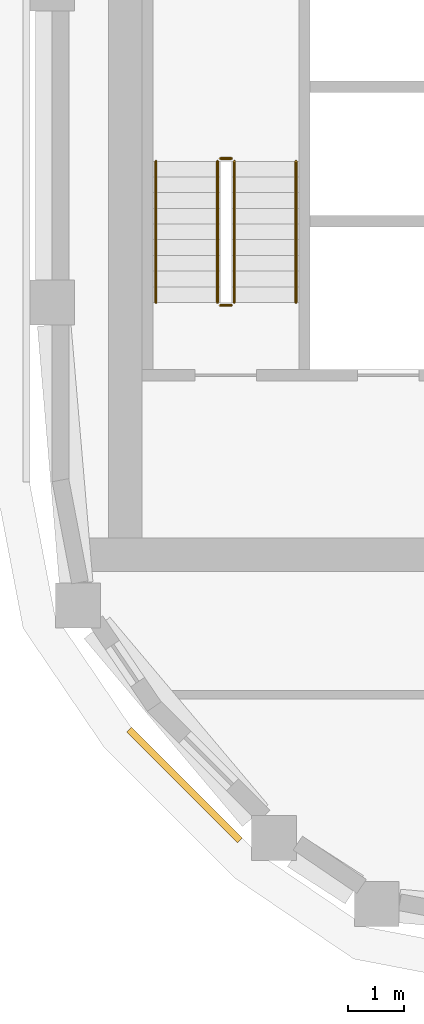
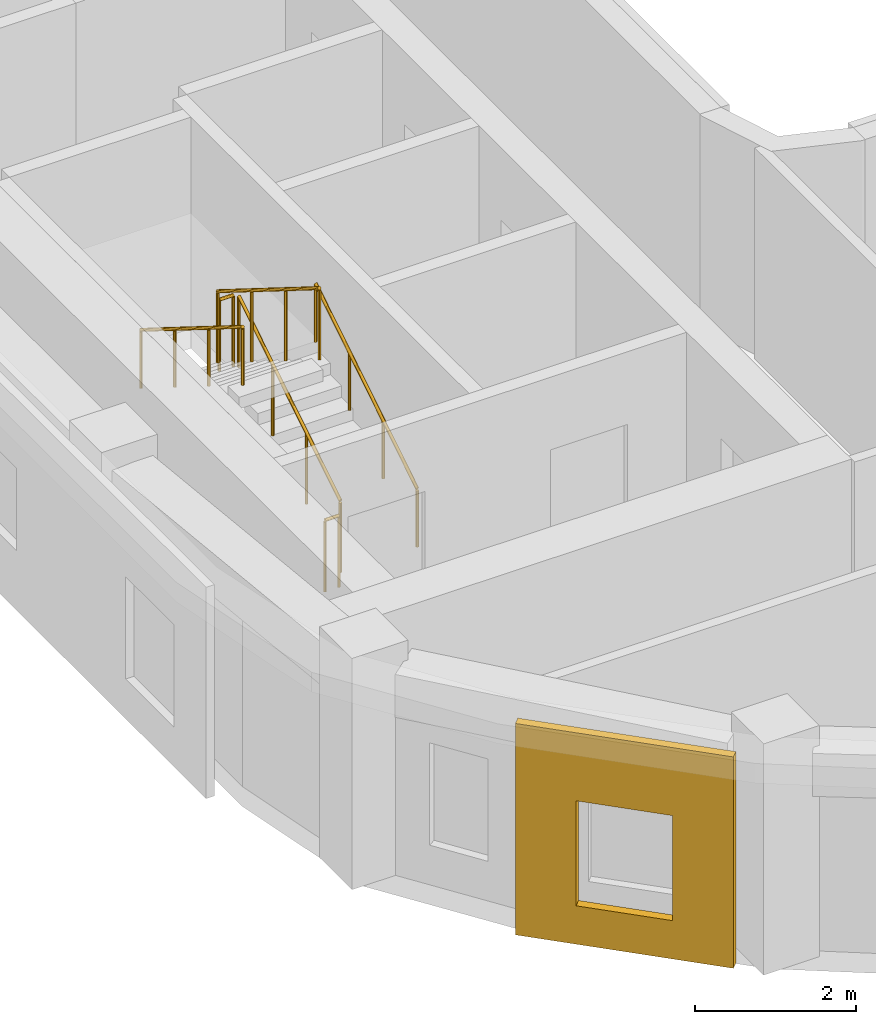
# One storey, part 10 of 16: 6 railings, 1 covering.
"""IFC4 building model written with IfcOpenShell, lengths in metres."""

from ifc_helpers import new_model, si_unit, direction, frame, origin, origin_2d, place, context, subcontext, project, spatial, polyline, circle, outline, extrude, material, layer, layer_set, type_object, element, save


model = new_model("IFC4")

# Units and contexts
model_context = context("Model", 3, precision=1e-05, world=origin(), true_north=direction((0.0, 1.0)))
body_context = subcontext(model_context, "Body", "Model", "MODEL_VIEW")
ifc_project = project(units=[si_unit("LENGTHUNIT", "METRE"), si_unit("AREAUNIT", "SQUARE_METRE"), si_unit("VOLUMEUNIT", "CUBIC_METRE"), si_unit("PLANEANGLEUNIT", "RADIAN"), si_unit("MASSUNIT", "GRAM", prefix="KILO")], contexts=[model_context])

# Site, building, storey
site_placement = place(None, origin())
site = spatial("IfcSite", under=ifc_project, at=site_placement, CompositionType="ELEMENT")
building_placement = place(site_placement, origin())
building = spatial("IfcBuilding", under=site, at=building_placement, Name="Kiln Ring Residences", CompositionType="ELEMENT")
storey_placement = place(building_placement, frame((0.0, 0.0, 259.199951171875)))
storey = spatial("IfcBuildingStorey", under=building, at=storey_placement, Name="L67", CompositionType="ELEMENT", Elevation=259.199951171875)

# Railings
ifc_material_1 = material(Name="Stainless steel", Category="steel")
railing_type_1 = type_object("IfcRailingType", Name="CORE-STAIR-GUARD", PredefinedType="GUARDRAIL", material=ifc_material_1)
railing_1_placement = place(storey_placement, frame((-21.949951171875, -8.39990234375, 0.175048828125)))
element("IfcRailing", 1, at=railing_1_placement, inside=storey, type_object=railing_type_1, Name="L67 W-STS stair guard 1", PredefinedType="GUARDRAIL", context=body_context, shape_type="SweptSolid", body=[
    extrude(circle(Radius=0.02392578125, at=origin_2d()), frame((0.0, 0.0, 1.076171875), z_axis=(0.0, 0.848007534815, 0.529984170421), x_axis=(-1.0, 0.0, 0.0)), (0.0, 0.0, 1.0), 2.9716796875),
    extrude(circle(Radius=0.02099609375, at=origin_2d()), origin(), (0.0, 0.0, 1.0), 1.052001953125),
    extrude(circle(Radius=0.02099609375, at=origin_2d()), frame((0.0, 0.840087890625, 0.52490234375)), (0.0, 0.0, 1.0), 1.052001953125),
    extrude(circle(Radius=0.02099609375, at=origin_2d()), frame((0.0, 1.679931640625, 1.050048828125)), (0.0, 0.0, 1.0), 1.052001953125),
    extrude(circle(Radius=0.02099609375, at=origin_2d()), frame((0.0, 2.52001953125, 1.574951171875)), (0.0, 0.0, 1.0), 1.052001953125),
])
railing_2_placement = place(storey_placement, frame((-22.0, -5.830078125, 1.75)))
element("IfcRailing", 2, at=railing_2_placement, inside=storey, type_object=railing_type_1, Name="L67 W-STS stair guard 2", PredefinedType="GUARDRAIL", context=body_context, shape_type="SweptSolid", body=[
    extrude(circle(Radius=0.02392578125, at=origin_2d()), frame((0.0, 0.0, 1.076171875), z_axis=(-1.0, 0.0, 0.0), x_axis=(0.0, -1.0, 0.0)), (0.0, 0.0, 1.0), 0.199951171875),
    extrude(circle(Radius=0.02099609375, at=origin_2d()), origin(), (0.0, 0.0, 1.0), 1.052001953125),
    extrude(circle(Radius=0.02099609375, at=origin_2d()), frame((-0.199951171875, 0.0, 0.0)), (0.0, 0.0, 1.0), 1.052001953125),
])
railing_3_placement = place(storey_placement, frame((-22.25, -5.8798828125, 1.925048828125)))
element("IfcRailing", 3, at=railing_3_placement, inside=storey, type_object=railing_type_1, Name="L67 W-STS stair guard 3", PredefinedType="GUARDRAIL", context=body_context, shape_type="SweptSolid", body=[
    extrude(circle(Radius=0.02392578125, at=origin_2d()), frame((0.0, 0.0, 1.076171875), z_axis=(0.0, -0.848007534815, 0.529984170421), x_axis=(1.0, 0.0, 0.0)), (0.0, 0.0, 1.0), 2.9716796875),
    extrude(circle(Radius=0.02099609375, at=origin_2d()), origin(), (0.0, 0.0, 1.0), 1.052001953125),
    extrude(circle(Radius=0.02099609375, at=origin_2d()), frame((0.0, -0.840087890625, 0.52490234375)), (0.0, 0.0, 1.0), 1.052001953125),
    extrude(circle(Radius=0.02099609375, at=origin_2d()), frame((0.0, -1.679931640625, 1.050048828125)), (0.0, 0.0, 1.0), 1.052001953125),
    extrude(circle(Radius=0.02099609375, at=origin_2d()), frame((0.0, -2.52001953125, 1.574951171875)), (0.0, 0.0, 1.0), 1.052001953125),
])
railing_4_placement = place(storey_placement, frame((-22.0, -8.449951171875, 0.0)))
element("IfcRailing", 4, at=railing_4_placement, inside=storey, type_object=railing_type_1, Name="L67 W-STS stair guard 4", PredefinedType="GUARDRAIL", context=body_context, shape_type="SweptSolid", body=[
    extrude(circle(Radius=0.02392578125, at=origin_2d()), frame((0.0, 0.0, 1.076171875), z_axis=(-1.0, 0.0, 0.0), x_axis=(0.0, -1.0, 0.0)), (0.0, 0.0, 1.0), 0.199951171875),
    extrude(circle(Radius=0.02099609375, at=origin_2d()), origin(), (0.0, 0.0, 1.0), 1.052001953125),
    extrude(circle(Radius=0.02099609375, at=origin_2d()), frame((-0.199951171875, 0.0, 0.0)), (0.0, 0.0, 1.0), 1.052001953125),
])
ifc_material_2 = material(Name="Stainless steel", Category="steel")
railing_type_2 = type_object("IfcRailingType", Name="CORE-STAIR-HANDRAIL", PredefinedType="HANDRAIL", material=ifc_material_2)
railing_5_placement = place(storey_placement, frame((-20.85009765625, -8.39990234375, 0.175048828125)))
element("IfcRailing", 5, at=railing_5_placement, inside=storey, type_object=railing_type_2, Name="L67 W-STS stair handrail 1", PredefinedType="HANDRAIL", context=body_context, shape_type="SweptSolid", body=[
    extrude(circle(Radius=0.02392578125, at=origin_2d()), frame((0.0, 0.0, 0.8759765625), z_axis=(0.0, 0.848007534815, 0.529984170421), x_axis=(-1.0, 0.0, 0.0)), (0.0, 0.0, 1.0), 2.9716796875),
    extrude(circle(Radius=0.02099609375, at=origin_2d()), origin(), (0.0, 0.0, 1.0), 0.851806640625),
    extrude(circle(Radius=0.02099609375, at=origin_2d()), frame((0.0, 0.840087890625, 0.52490234375)), (0.0, 0.0, 1.0), 0.851806640625),
    extrude(circle(Radius=0.02099609375, at=origin_2d()), frame((0.0, 1.679931640625, 1.050048828125)), (0.0, 0.0, 1.0), 0.851806640625),
    extrude(circle(Radius=0.02099609375, at=origin_2d()), frame((0.0, 2.52001953125, 1.574951171875)), (0.0, 0.0, 1.0), 0.851806640625),
])
railing_6_placement = place(storey_placement, frame((-23.35009765625, -5.8798828125, 1.925048828125)))
element("IfcRailing", 6, at=railing_6_placement, inside=storey, type_object=railing_type_2, Name="L67 W-STS stair handrail 2", PredefinedType="HANDRAIL", context=body_context, shape_type="SweptSolid", body=[
    extrude(circle(Radius=0.02392578125, at=origin_2d()), frame((0.0, 0.0, 0.8759765625), z_axis=(0.0, -0.848007534815, 0.529984170421), x_axis=(1.0, 0.0, 0.0)), (0.0, 0.0, 1.0), 2.9716796875),
    extrude(circle(Radius=0.02099609375, at=origin_2d()), origin(), (0.0, 0.0, 1.0), 0.851806640625),
    extrude(circle(Radius=0.02099609375, at=origin_2d()), frame((0.0, -0.840087890625, 0.52490234375)), (0.0, 0.0, 1.0), 0.851806640625),
    extrude(circle(Radius=0.02099609375, at=origin_2d()), frame((0.0, -1.679931640625, 1.050048828125)), (0.0, 0.0, 1.0), 0.851806640625),
    extrude(circle(Radius=0.02099609375, at=origin_2d()), frame((0.0, -2.52001953125, 1.574951171875)), (0.0, 0.0, 1.0), 0.851806640625),
])

# Covering
ifc_material_3 = material(Name="Brick masonry, dark clay brick", Category="masonry")
ifc_layer = layer(ifc_material_3, 0.1201171875)
ifc_layer_set = layer_set([ifc_layer], Name="RAINSCREEN PANEL 120")
covering_type = type_object("IfcCoveringType", Name="RAINSCREEN PANEL 120", PredefinedType="CLADDING", material=ifc_layer_set)
covering_placement = place(storey_placement, frame((-23.828125, -16.022216796875, 0.0), z_axis=(0.0, 0.0, 1.0), x_axis=(0.707063182409, -0.707150377276, 0.0)))
element("IfcCovering", 7, at=covering_placement, inside=storey, type_object=covering_type, Name="RAINSCREEN L67", PredefinedType="CLADDING", context=body_context, shape_type="SweptSolid", body=[
    extrude(outline(polyline([(0.0, 0.0), (2.800048828125, 0.0), (2.800048828125, 3.199951171875), (0.0, 3.199951171875), (0.0, 0.0)]), holes=[polyline([(0.780029296875, 2.170166015625), (0.780029296875, 0.580078125), (2.02001953125, 0.580078125), (2.02001953125, 2.170166015625), (0.780029296875, 2.170166015625)])]), frame((0.0, 0.06005859375, 0.0), z_axis=(0.0, -1.0, 0.0), x_axis=(1.0, 0.0, 0.0)), (0.0, 0.0, 1.0), 0.1201171875),
])

save(model, "model.ifc")
